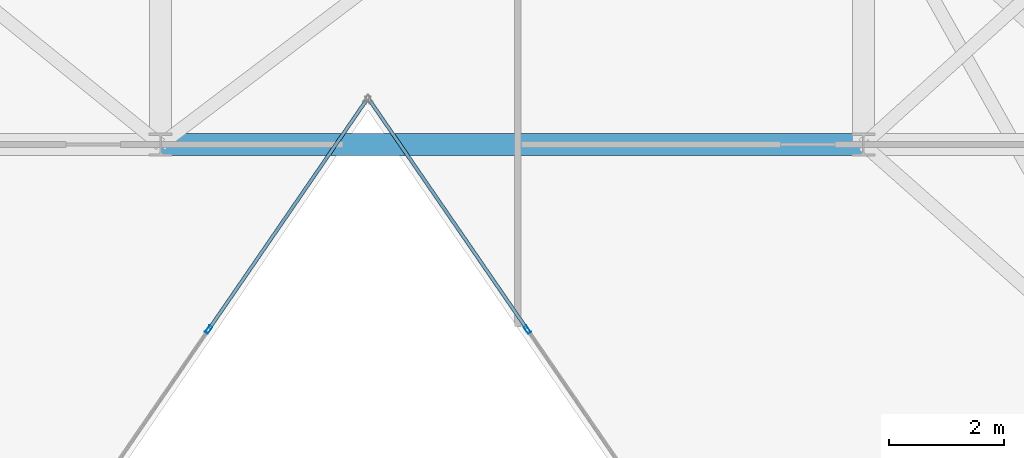
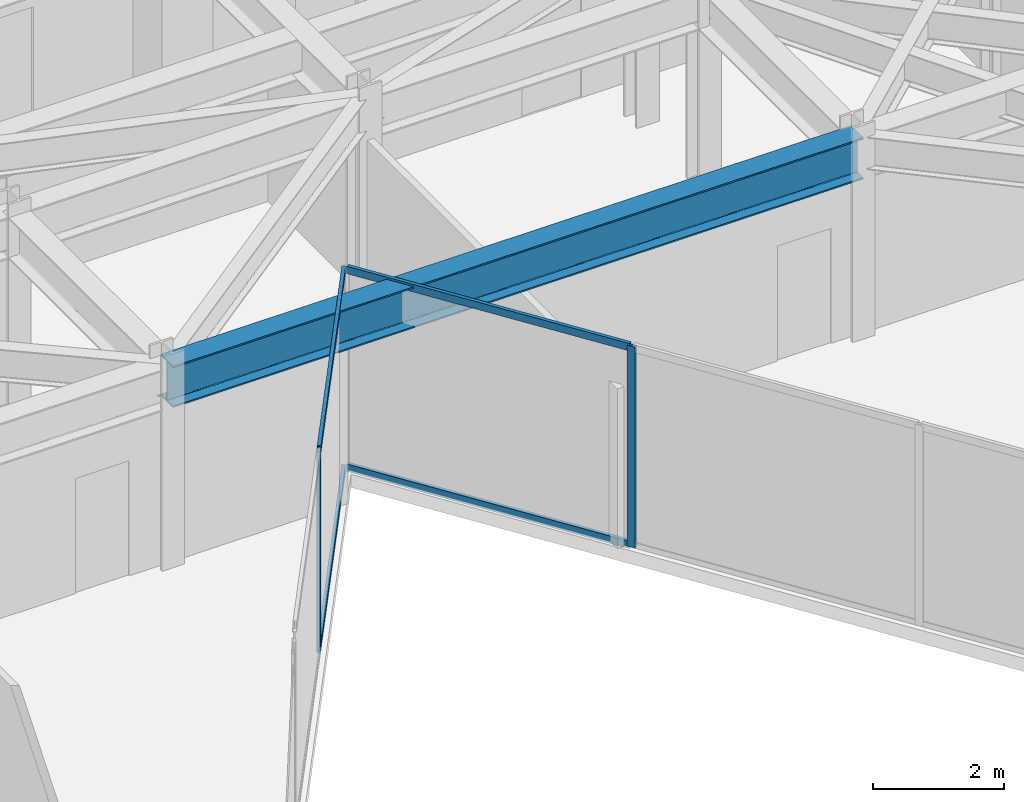
# One storey, part 6 of 21: 6 members, 1 beam, 2 elements without a shape of their own.
"""IFC4 building model written with IfcOpenShell, lengths in metres."""

from ifc_helpers import new_model, si_unit, direction, frame, origin, origin_2d, place, context, subcontext, project, spatial, hollow_rectangle, i_section, extrude, material, layer, layer_set, material_profile, profile_set, type_object, element, aggregate, save


model = new_model("IFC4")

# Units and contexts
model_context = context("Model", 3, precision=1e-05, world=origin(), true_north=direction((0.0, 1.0)))
body_context = subcontext(model_context, "Body", "Model", "MODEL_VIEW")
ifc_project = project(units=[si_unit("LENGTHUNIT", "METRE"), si_unit("AREAUNIT", "SQUARE_METRE"), si_unit("VOLUMEUNIT", "CUBIC_METRE"), si_unit("PLANEANGLEUNIT", "RADIAN"), si_unit("MASSUNIT", "GRAM", prefix="KILO")], contexts=[model_context])

# Site, building, storey
site_placement = place(None, origin())
site = spatial("IfcSite", under=ifc_project, at=site_placement, CompositionType="ELEMENT")
building_placement = place(site_placement, origin())
building = spatial("IfcBuilding", under=site, at=building_placement, Name="Kravanh Interchange Tower", CompositionType="ELEMENT")
storey_placement = place(building_placement, frame((0.0, 0.0, 208.5)))
storey = spatial("IfcBuildingStorey", under=building, at=storey_placement, Name="L50", CompositionType="ELEMENT", Elevation=208.5)

# Curtain wall, member
ifc_material_1 = material(Name="Anodised Bronze Aluminium", Category="aluminium")
ifc_layer = layer(ifc_material_1, 0.179931640625)
ifc_layer_set = layer_set([ifc_layer], Name="Unitised Curtain Wall System CW-Z3 Upper Office")
curtain_wall_type = type_object("IfcCurtainWallType", Name="Unitised Curtain Wall System CW-Z3 Upper Office", PredefinedType="NOTDEFINED", material=ifc_layer_set)
curtain_wall_1_placement = place(storey_placement, origin())
curtain_wall_1 = element("IfcCurtainWall", 1, at=curtain_wall_1_placement, inside=storey, type_object=curtain_wall_type, Name="L50 Unitised Curtain Wall CW-L50-03", PredefinedType="NOTDEFINED")
ifc_material_2 = material(Name="Anodised Bronze Aluminium", Category="aluminium")
ifc_material_profile_1 = material_profile(ifc_material_2, hollow_rectangle(XDim=0.06005859375, YDim=0.139892578125, WallThickness=0.00390625, at=origin_2d()), Name="ALU60X140X4")
ifc_profile_set_1 = profile_set([ifc_material_profile_1], Name="Anodised Bronze Aluminium")
member_type_1 = type_object("IfcMemberType", Name="Curtain Wall Mullion ALU60X140X4 Bronze", PredefinedType="MULLION", material=ifc_profile_set_1)
member_1_placement = place(storey_placement, frame((44.9658203125, 23.5888671875, 0.0), z_axis=(0.0, 0.0, 1.0), x_axis=(-0.824042223035, -0.566528388217, 0.0)))
member_1 = element("IfcMember", 2, at=member_1_placement, type_object=member_type_1, Name="CW-Z3 mullion 4", PredefinedType="MULLION", context=body_context, shape_type="SweptSolid", body=[
    extrude(hollow_rectangle(XDim=0.06005859375, YDim=0.139892578125, WallThickness=0.00390625, at=origin_2d()), origin(), (0.0, 0.0, 1.0), 3.7548828125),
])

curtain_wall_2_placement = place(storey_placement, origin())
curtain_wall_2 = element("IfcCurtainWall", 3, at=curtain_wall_2_placement, inside=storey, type_object=curtain_wall_type, Name="L50 Unitised Curtain Wall CW-L50-04", PredefinedType="NOTDEFINED")
member_2_placement = place(storey_placement, frame((39.434326171875, 23.5888671875, 0.0), z_axis=(0.0, 0.0, 1.0), x_axis=(0.824042223035, -0.566528388217, 0.0)))
member_2 = element("IfcMember", 4, at=member_2_placement, type_object=member_type_1, Name="CW-Z3 mullion 2", PredefinedType="MULLION", context=body_context, shape_type="SweptSolid", body=[
    extrude(hollow_rectangle(XDim=0.06005859375, YDim=0.139892578125, WallThickness=0.00390625, at=origin_2d()), origin(), (0.0, 0.0, 1.0), 3.7548828125),
])

# Member
ifc_material_3 = material(Name="Anodised Bronze Aluminium", Category="aluminium")
ifc_material_profile_2 = material_profile(ifc_material_3, hollow_rectangle(XDim=0.06005859375, YDim=0.139892578125, WallThickness=0.00390625, at=origin_2d()), Name="ALU60X140X4")
ifc_profile_set_2 = profile_set([ifc_material_profile_2], Name="Anodised Bronze Aluminium")
member_type_2 = type_object("IfcMemberType", Name="Curtain Wall Transom ALU60X140X4 Bronze", PredefinedType="USERDEFINED", material=ifc_profile_set_2)
member_3_placement = place(storey_placement, frame((44.94873046875, 23.613525390625, 0.030029296875), z_axis=(-0.566541796314, 0.824033004818, 0.0), x_axis=(-0.824033004818, -0.566541796314, 0.0)))
member_3 = element("IfcMember", 5, at=member_3_placement, type_object=member_type_2, Name="CW-Z3 transom 4.1", ObjectType="TRANSOM", PredefinedType="USERDEFINED", context=body_context, shape_type="SweptSolid", body=[
    extrude(hollow_rectangle(XDim=0.06005859375, YDim=0.139892578125, WallThickness=0.00390625, at=origin_2d()), origin(), (0.0, 0.0, 1.0), 4.7919921875),
])

member_4_placement = place(storey_placement, frame((44.94873046875, 23.613525390625, 3.72509765625), z_axis=(-0.566541796314, 0.824033004818, 0.0), x_axis=(-0.824033004818, -0.566541796314, 0.0)))
member_4 = element("IfcMember", 6, at=member_4_placement, type_object=member_type_2, Name="CW-Z3 transom 4.2", ObjectType="TRANSOM", PredefinedType="USERDEFINED", context=body_context, shape_type="SweptSolid", body=[
    extrude(hollow_rectangle(XDim=0.06005859375, YDim=0.139892578125, WallThickness=0.00390625, at=origin_2d()), origin(), (0.0, 0.0, 1.0), 4.7919921875),
])

aggregate(curtain_wall_1, [member_1, member_3, member_4])

member_5_placement = place(storey_placement, frame((42.166015625, 27.562255859375, 0.030029296875), z_axis=(-0.566541796314, -0.824033004818, 0.0), x_axis=(0.824033004818, -0.566541796314, 0.0)))
member_5 = element("IfcMember", 7, at=member_5_placement, type_object=member_type_2, Name="CW-Z3 transom 1.1", ObjectType="TRANSOM", PredefinedType="USERDEFINED", context=body_context, shape_type="SweptSolid", body=[
    extrude(hollow_rectangle(XDim=0.06005859375, YDim=0.139892578125, WallThickness=0.00390625, at=origin_2d()), origin(), (0.0, 0.0, 1.0), 4.7919921875),
])

member_6_placement = place(storey_placement, frame((42.166015625, 27.562255859375, 3.72509765625), z_axis=(-0.566541796314, -0.824033004818, 0.0), x_axis=(0.824033004818, -0.566541796314, 0.0)))
member_6 = element("IfcMember", 8, at=member_6_placement, type_object=member_type_2, Name="CW-Z3 transom 1.2", ObjectType="TRANSOM", PredefinedType="USERDEFINED", context=body_context, shape_type="SweptSolid", body=[
    extrude(hollow_rectangle(XDim=0.06005859375, YDim=0.139892578125, WallThickness=0.00390625, at=origin_2d()), origin(), (0.0, 0.0, 1.0), 4.7919921875),
])

aggregate(curtain_wall_2, [member_2, member_5, member_6])

# Beam
ifc_material_4 = material(Name="Structural Steel S355", Category="steel")
ifc_material_profile_3 = material_profile(ifc_material_4, i_section(OverallWidth=0.381103515625, OverallDepth=0.77294921875, WebThickness=0.0166015625, FlangeThickness=0.027099609375, FilletRadius=0.02490234375, at=origin_2d()), Name="W30X173")
ifc_profile_set_3 = profile_set([ifc_material_profile_3], Name="Structural Steel S355")
beam_type = type_object("IfcBeamType", Name="Floor Beam W30X173 Structural Steel S355", PredefinedType="BEAM", material=ifc_profile_set_3)
beam_placement = place(storey_placement, frame((38.60009765625, 26.800048828125, 3.368408203125), z_axis=(1.0, 0.0, 0.0), x_axis=(0.0, 1.0, 0.0)))
element("IfcBeam", 9, at=beam_placement, inside=storey, type_object=beam_type, Name="L50 Primary Floor Girder 48", PredefinedType="BEAM", context=body_context, shape_type="SweptSolid", body=[
    extrude(i_section(OverallWidth=0.381103515625, OverallDepth=0.77294921875, WebThickness=0.0166015625, FlangeThickness=0.027099609375, FilletRadius=0.02490234375, at=origin_2d()), origin(), (0.0, 0.0, 1.0), 12.199951171875),
])

save(model, "model.ifc")
